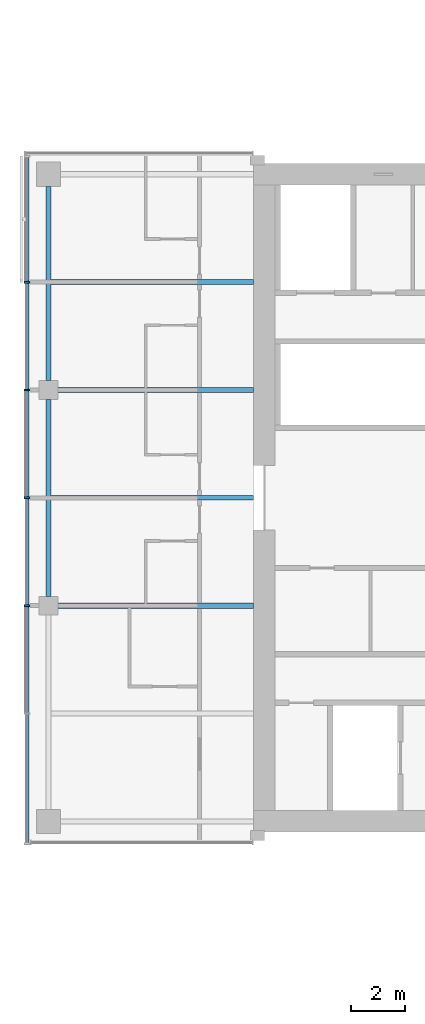
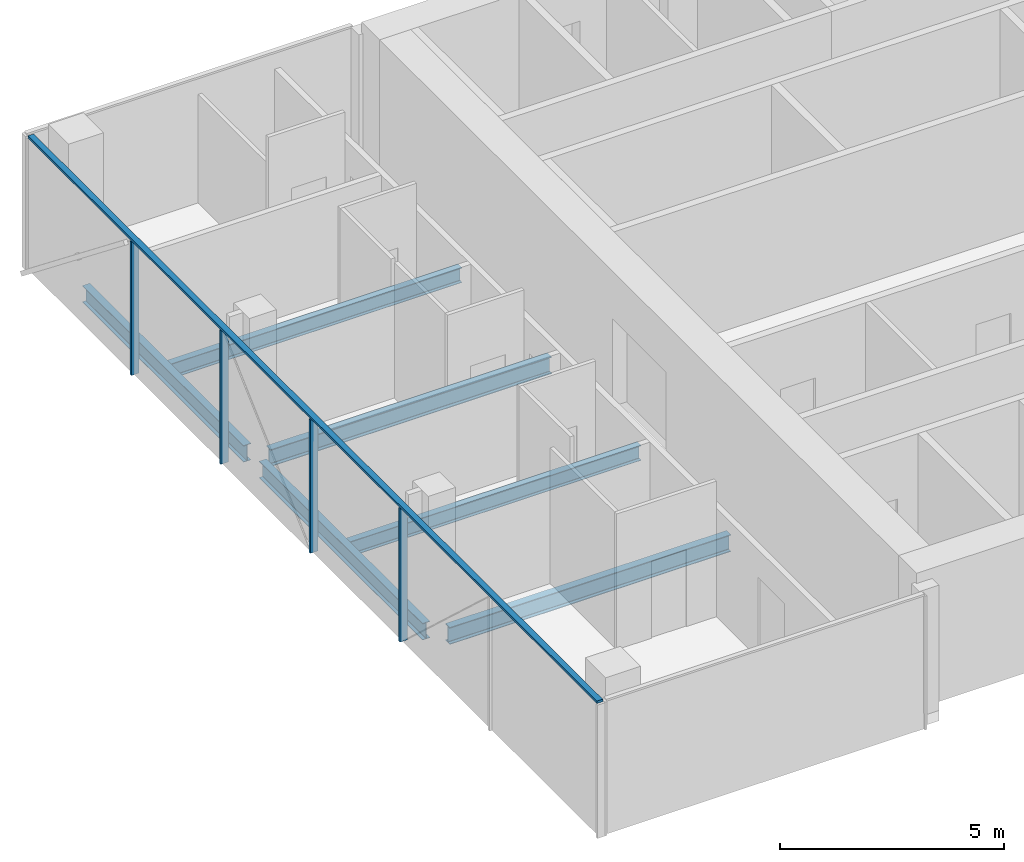
# One storey, part 6 of 27: 6 beams, 5 members, 1 element without a shape of its own.
"""IFC4 building model written with IfcOpenShell, lengths in metres."""

from ifc_helpers import new_model, si_unit, direction, frame, origin, origin_2d, place, context, subcontext, project, spatial, rectangle, i_section, extrude, material, material_profile, profile_set, type_object, element, aggregate, save


model = new_model("IFC4")

# Units and contexts
model_context = context("Model", 3, precision=1e-05, world=origin(), true_north=direction((0.0, 1.0)))
body_context = subcontext(model_context, "Body", "Model", "MODEL_VIEW")
ifc_project = project(units=[si_unit("LENGTHUNIT", "METRE"), si_unit("AREAUNIT", "SQUARE_METRE"), si_unit("VOLUMEUNIT", "CUBIC_METRE"), si_unit("PLANEANGLEUNIT", "RADIAN"), si_unit("MASSUNIT", "GRAM", prefix="KILO")], contexts=[model_context])

# Site, building, storey
site_placement = place(None, origin())
site = spatial("IfcSite", under=ifc_project, at=site_placement, CompositionType="ELEMENT")
building_placement = place(site_placement, origin())
building = spatial("IfcBuilding", under=site, at=building_placement, Name="Crosswind Convention Tower", CompositionType="ELEMENT")
storey_placement = place(building_placement, frame((0.0, 0.0, 86.800048828125)))
storey = spatial("IfcBuildingStorey", under=building, at=storey_placement, Name="L16", CompositionType="ELEMENT", Elevation=86.800048828125)

# Beams
ifc_material_1 = material(Name="Steel S355", Category="steel")
ifc_material_profile_1 = material_profile(ifc_material_1, i_section(OverallWidth=0.1904296875, OverallDepth=0.457275390625, WebThickness=0.009033203125, FlangeThickness=0.014404296875, FilletRadius=0.01025390625, at=origin_2d()), Name="UB 457x191x75")
ifc_profile_set_1 = profile_set([ifc_material_profile_1], Name="Steel S355")
beam_type_1 = type_object("IfcBeamType", Name="Edge beam UB 457x191x75", PredefinedType="SPANDREL", material=ifc_profile_set_1)
beam_1_placement = place(storey_placement, frame((89.0, 96.35009765625, -0.508544921875), z_axis=(0.0, 1.0, 0.0), x_axis=(-1.0, 0.0, 0.0)))
element("IfcBeam", 1, at=beam_1_placement, inside=storey, type_object=beam_type_1, Name="B17 L16 edge beam 2", PredefinedType="SPANDREL", context=body_context, shape_type="SweptSolid", body=[
    extrude(i_section(OverallWidth=0.1904296875, OverallDepth=0.457275390625, WebThickness=0.009033203125, FlangeThickness=0.014404296875, FilletRadius=0.01025390625, at=origin_2d()), origin(), (0.0, 0.0, 1.0), 7.2998046875),
])
beam_2_placement = place(storey_placement, frame((89.0, 104.35009765625, -0.508544921875), z_axis=(0.0, 1.0, 0.0), x_axis=(-1.0, 0.0, 0.0)))
element("IfcBeam", 2, at=beam_2_placement, inside=storey, type_object=beam_type_1, Name="B17 L16 edge beam 3", PredefinedType="SPANDREL", context=body_context, shape_type="SweptSolid", body=[
    extrude(i_section(OverallWidth=0.1904296875, OverallDepth=0.457275390625, WebThickness=0.009033203125, FlangeThickness=0.014404296875, FilletRadius=0.01025390625, at=origin_2d()), origin(), (0.0, 0.0, 1.0), 7.199951171875),
])
ifc_material_profile_2 = material_profile(ifc_material_1, i_section(OverallWidth=0.19189453125, OverallDepth=0.463623046875, WebThickness=0.010498046875, FlangeThickness=0.017578125, FilletRadius=0.01025390625, at=origin_2d()), Name="UB 457x191x90")
ifc_profile_set_2 = profile_set([ifc_material_profile_2], Name="Steel S355")
beam_type_2 = type_object("IfcBeamType", Name="Girder at core wall UB 457x191x90", PredefinedType="BEAM", material=ifc_profile_set_2)
for number, where, z_axis, x_axis, name in (
    (3, (89.35009765625, 96.0, -0.511962890625), (1.0, 0.0, 0.0), (0.0, 1.0, 0.0), "B24 L16 girder at core wall 1"),
    (4, (89.35009765625, 104.0, -0.511962890625), (1.0, 0.0, 0.0), (0.0, 1.0, 0.0), "B24 L16 girder at core wall 2"),
):
    element("IfcBeam", number, at=place(storey_placement, frame(where, z_axis=z_axis, x_axis=x_axis)), inside=storey, type_object=beam_type_2, Name=name, PredefinedType="BEAM", context=body_context, shape_type="SweptSolid", body=[
        extrude(i_section(OverallWidth=0.19189453125, OverallDepth=0.463623046875, WebThickness=0.010498046875, FlangeThickness=0.017578125, FilletRadius=0.01025390625, at=origin_2d()), origin(), (0.0, 0.0, 1.0), 7.25),
    ])

# Curtain wall, members
ifc_material_2 = material(Name="Aluminium unitised curtain wall", Category="aluminium")
curtain_wall_type = type_object("IfcCurtainWallType", Name="HOTEL UNITISED WALL 200", PredefinedType="USERDEFINED", material=ifc_material_2)
curtain_wall_placement = place(storey_placement, origin())
curtain_wall = element("IfcCurtainWall", 5, at=curtain_wall_placement, inside=storey, type_object=curtain_wall_type, Name="CW2 L16 W-TIP 1", ObjectType="UNITISED", PredefinedType="USERDEFINED")
ifc_material_3 = material(Name="Aluminium mullion", Category="aluminium")
ifc_material_profile_3 = material_profile(ifc_material_3, rectangle(XDim=0.199951171875, YDim=0.06494140625, at=origin_2d()), Name="AL 200X65")
ifc_profile_set_3 = profile_set([ifc_material_profile_3], Name="Aluminium mullion")
member_type_1 = type_object("IfcMemberType", Name="MULLION 65X200", PredefinedType="MULLION", material=ifc_profile_set_3)
member_1_placement = place(storey_placement, frame((88.199951171875, 108.0, -0.280029296875), z_axis=(0.0, 0.0, 1.0), x_axis=(-1.0, 0.0, 0.0)))
member_1 = element("IfcMember", 6, at=member_1_placement, type_object=member_type_1, Name="CW2 mullion 2", PredefinedType="MULLION", context=body_context, shape_type="SweptSolid", body=[
    extrude(rectangle(XDim=0.199951171875, YDim=0.06494140625, at=origin_2d()), origin(), (0.0, 0.0, 1.0), 3.635009765625),
])
member_2_placement = place(storey_placement, frame((88.199951171875, 104.0, -0.280029296875), z_axis=(0.0, 0.0, 1.0), x_axis=(-1.0, 0.0, 0.0)))
member_2 = element("IfcMember", 7, at=member_2_placement, type_object=member_type_1, Name="CW2 mullion 3", PredefinedType="MULLION", context=body_context, shape_type="SweptSolid", body=[
    extrude(rectangle(XDim=0.199951171875, YDim=0.06494140625, at=origin_2d()), origin(), (0.0, 0.0, 1.0), 3.635009765625),
])
member_3_placement = place(storey_placement, frame((88.199951171875, 100.0, -0.280029296875), z_axis=(0.0, 0.0, 1.0), x_axis=(-1.0, 0.0, 0.0)))
member_3 = element("IfcMember", 8, at=member_3_placement, type_object=member_type_1, Name="CW2 mullion 4", PredefinedType="MULLION", context=body_context, shape_type="SweptSolid", body=[
    extrude(rectangle(XDim=0.199951171875, YDim=0.06494140625, at=origin_2d()), origin(), (0.0, 0.0, 1.0), 3.635009765625),
])
member_4_placement = place(storey_placement, frame((88.199951171875, 96.0, -0.280029296875), z_axis=(0.0, 0.0, 1.0), x_axis=(-1.0, 0.0, 0.0)))
member_4 = element("IfcMember", 9, at=member_4_placement, type_object=member_type_1, Name="CW2 mullion 5", PredefinedType="MULLION", context=body_context, shape_type="SweptSolid", body=[
    extrude(rectangle(XDim=0.199951171875, YDim=0.06494140625, at=origin_2d()), origin(), (0.0, 0.0, 1.0), 3.635009765625),
])

# Beams
ifc_material_profile_4 = material_profile(ifc_material_1, i_section(OverallWidth=0.177734375, OverallDepth=0.406494140625, WebThickness=0.0078125, FlangeThickness=0.0126953125, FilletRadius=0.01025390625, at=origin_2d()), Name="UB 406x178x60")
ifc_profile_set_4 = profile_set([ifc_material_profile_4], Name="Steel S355")
beam_type_3 = type_object("IfcBeamType", Name="Secondary beam UB 406x178x60", PredefinedType="JOIST", material=ifc_profile_set_4)
for number, where, z_axis, x_axis, name in (
    (10, (89.09521484375, 100.0, -0.483154296875), (1.0, 0.0, 0.0), (0.0, 1.0, 0.0), "B10 L16 secondary beam 2"),
    (11, (89.09521484375, 108.0, -0.483154296875), (1.0, 0.0, 0.0), (0.0, 1.0, 0.0), "B10 L16 secondary beam 3"),
):
    element("IfcBeam", number, at=place(storey_placement, frame(where, z_axis=z_axis, x_axis=x_axis)), inside=storey, type_object=beam_type_3, Name=name, PredefinedType="JOIST", context=body_context, shape_type="SweptSolid", body=[
        extrude(i_section(OverallWidth=0.177734375, OverallDepth=0.406494140625, WebThickness=0.0078125, FlangeThickness=0.0126953125, FilletRadius=0.01025390625, at=origin_2d()), origin(), (0.0, 0.0, 1.0), 7.5048828125),
    ])

# Member
ifc_material_4 = material(Name="Aluminium transom", Category="aluminium")
ifc_material_profile_5 = material_profile(ifc_material_4, rectangle(XDim=0.14990234375, YDim=0.06494140625, at=origin_2d()), Name="AL 150X65")
ifc_profile_set_5 = profile_set([ifc_material_profile_5], Name="Aluminium transom")
member_type_2 = type_object("IfcMemberType", Name="TRANSOM 65X150", PredefinedType="USERDEFINED", material=ifc_profile_set_5)
member_5_placement = place(storey_placement, frame((88.199951171875, 112.635009765625, 3.387451171875), z_axis=(0.0, -1.0, 0.0), x_axis=(1.0, 0.0, 0.0)))
member_5 = element("IfcMember", 12, at=member_5_placement, type_object=member_type_2, Name="CW2 transom", ObjectType="TRANSOM", PredefinedType="USERDEFINED", context=body_context, shape_type="SweptSolid", body=[
    extrude(rectangle(XDim=0.14990234375, YDim=0.06494140625, at=origin_2d()), origin(), (0.0, 0.0, 1.0), 25.429931640625),
])

aggregate(curtain_wall, [member_1, member_2, member_3, member_4, member_5])

save(model, "model.ifc")
